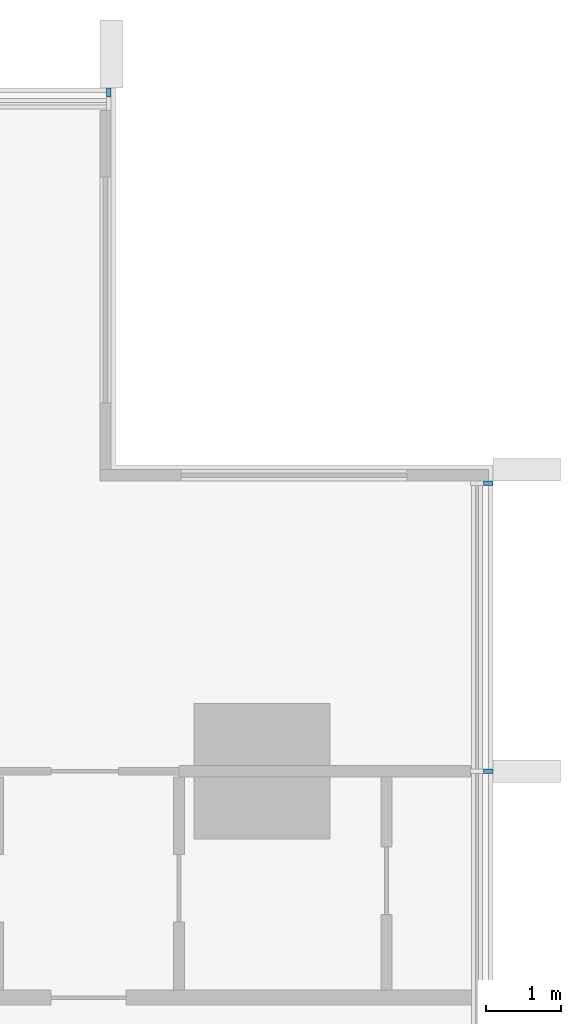
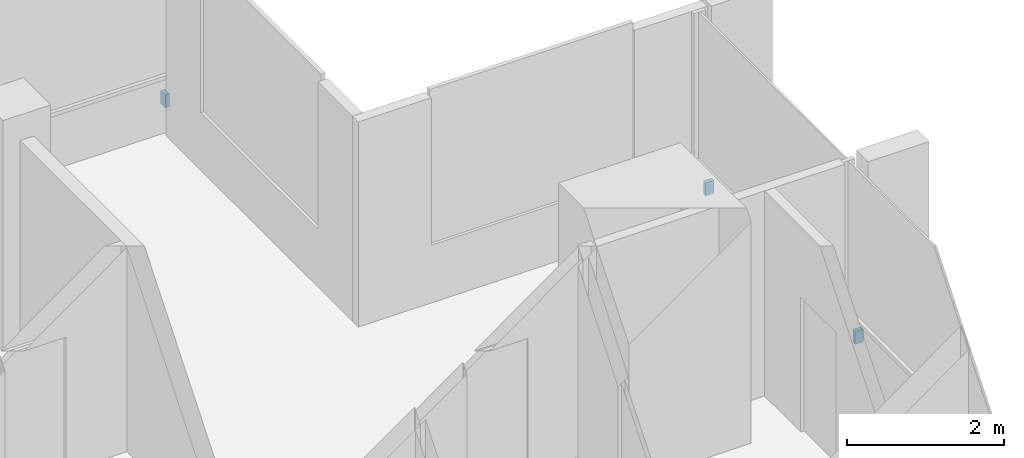
# One storey, part 15 of 16: 3 discrete accessories.
"""IFC4 building model written with IfcOpenShell, lengths in metres."""

from ifc_helpers import new_model, si_unit, direction, frame, origin, origin_2d, place, context, subcontext, project, spatial, rectangle, extrude, material, type_object, element, save


model = new_model("IFC4")

# Units and contexts
model_context = context("Model", 3, precision=1e-05, world=origin(), true_north=direction((0.0, 1.0)))
body_context = subcontext(model_context, "Body", "Model", "MODEL_VIEW")
ifc_project = project(units=[si_unit("LENGTHUNIT", "METRE"), si_unit("AREAUNIT", "SQUARE_METRE"), si_unit("VOLUMEUNIT", "CUBIC_METRE"), si_unit("PLANEANGLEUNIT", "RADIAN"), si_unit("MASSUNIT", "GRAM", prefix="KILO")], contexts=[model_context])

# Site, building, storey
site_placement = place(None, origin())
site = spatial("IfcSite", under=ifc_project, at=site_placement, CompositionType="ELEMENT")
building_placement = place(site_placement, origin())
building = spatial("IfcBuilding", under=site, at=building_placement, Name="Finial Court Residences", CompositionType="ELEMENT")
storey_placement = place(building_placement, frame((0.0, 0.0, 295.10009765625)))
storey = spatial("IfcBuildingStorey", under=building, at=storey_placement, Name="L75", CompositionType="ELEMENT", Elevation=295.10009765625)

# Discrete accessories
ifc_material = material(Name="Stainless steel 316", Category="steel")
discrete_accessory_type = type_object("IfcDiscreteAccessoryType", Name="Fin bracket, stainless steel 60 x 122 x 200", PredefinedType="BRACKET", material=ifc_material)
discrete_accessory_placement = place(storey_placement, frame((14.469970703125, 16.498779296875, 0.2998046875), z_axis=(0.0, 0.0, 1.0), x_axis=(1.0, 0.0, 0.0)))
element("IfcDiscreteAccessory", 1, at=discrete_accessory_placement, inside=storey, type_object=discrete_accessory_type, Name="E-L75-FIN-N6-BRK", PredefinedType="BRACKET", context=body_context, shape_type="SweptSolid", body=[
    extrude(rectangle(XDim=0.06005859375, YDim=0.12255859375, at=origin_2d()), origin(), (0.0, 0.0, 1.0), 0.199951171875),
])
for number, where, z_axis, x_axis, name in (
    (2, (19.498779296875, 7.5, 0.2998046875), (0.0, 0.0, 1.0), (1.0, 0.0, 0.0), "E-L75-FIN-E11-BRK"),
    (3, (19.498779296875, 11.320068359375, 0.2998046875), (0.0, 0.0, 1.0), (1.0, 0.0, 0.0), "E-L75-FIN-E12-BRK"),
):
    element("IfcDiscreteAccessory", number, at=place(storey_placement, frame(where, z_axis=z_axis, x_axis=x_axis)), inside=storey, type_object=discrete_accessory_type, Name=name, PredefinedType="BRACKET", context=body_context, shape_type="SweptSolid", body=[
        extrude(rectangle(XDim=0.12255859375, YDim=0.06005859375, at=origin_2d()), origin(), (0.0, 0.0, 1.0), 0.199951171875),
    ])

save(model, "model.ifc")
